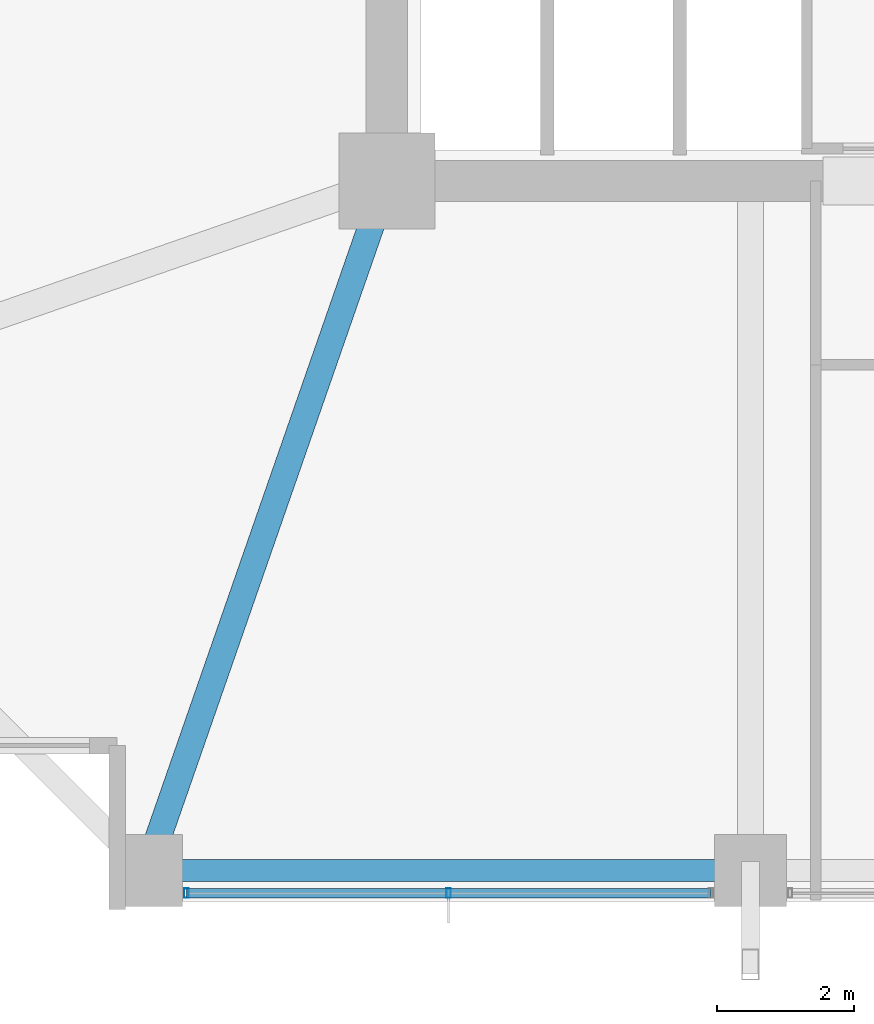
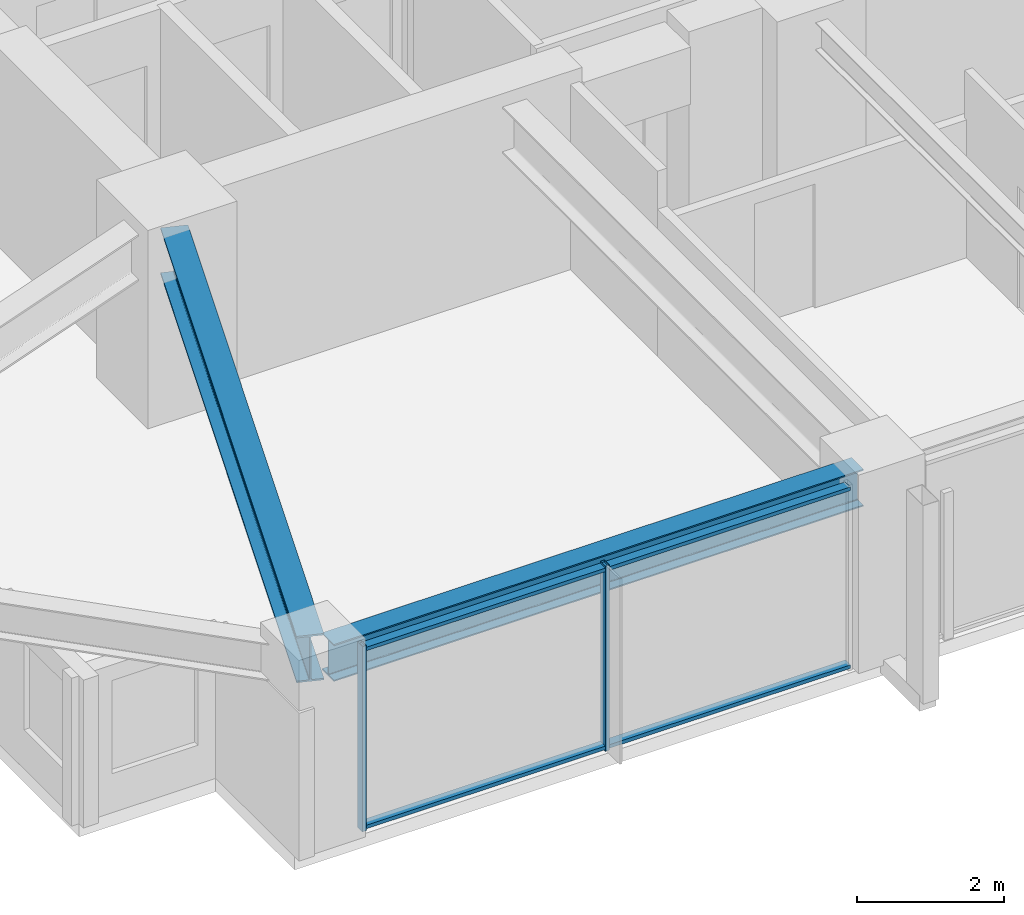
# One storey, part 2 of 37: 4 members, 2 beams, 1 element without a shape of its own.
"""IFC4 building model written with IfcOpenShell, lengths in metres."""

from ifc_helpers import new_model, si_unit, direction, frame, origin, origin_2d, place, context, subcontext, project, spatial, hollow_rectangle, i_section, extrude, material, material_profile, profile_set, type_object, element, aggregate, save


model = new_model("IFC4")

# Units and contexts
model_context = context("Model", 3, precision=1e-05, world=origin(), true_north=direction((0.0, 1.0)))
body_context = subcontext(model_context, "Body", "Model", "MODEL_VIEW")
ifc_project = project(units=[si_unit("LENGTHUNIT", "METRE"), si_unit("AREAUNIT", "SQUARE_METRE"), si_unit("VOLUMEUNIT", "CUBIC_METRE"), si_unit("PLANEANGLEUNIT", "RADIAN"), si_unit("MASSUNIT", "GRAM", prefix="KILO")], contexts=[model_context])

# Site, building, storey
site_placement = place(None, origin())
site = spatial("IfcSite", under=ifc_project, at=site_placement, CompositionType="ELEMENT")
building_placement = place(site_placement, origin())
building = spatial("IfcBuilding", under=site, at=building_placement, Name="Kolvaren Belvedere", CompositionType="ELEMENT")
storey_placement = place(building_placement, frame((0.0, 0.0, 75.5)))
storey = spatial("IfcBuildingStorey", under=building, at=storey_placement, Name="L21", CompositionType="ELEMENT", Elevation=75.5)

# Beams
ifc_material_1 = material(Name="Structural steel ASTM A992 Grade 50", Category="steel")
ifc_material_profile_1 = material_profile(ifc_material_1, i_section(OverallWidth=0.381103515625, OverallDepth=0.77294921875, WebThickness=0.0166015625, FlangeThickness=0.027099609375, FilletRadius=0.02392578125, at=origin_2d()), Name="W30X173")
ifc_profile_set_1 = profile_set([ifc_material_profile_1], Name="Structural steel ASTM A992 Grade 50")
beam_type_1 = type_object("IfcBeamType", Name="BM-GIRD-W30X173", PredefinedType="BEAM", material=ifc_profile_set_1)
beam_1_placement = place(storey_placement, frame((-10.080810546875, -10.41943359375, 2.693603515625), z_axis=(-0.328880894453, -0.944371408538, 0.0), x_axis=(0.944371408538, -0.328880894453, 0.0)))
element("IfcBeam", 1, at=beam_1_placement, inside=storey, type_object=beam_type_1, Name="L21 Corner Core-to-Perimeter Girder CC1-S1", PredefinedType="BEAM", context=body_context, shape_type="SweptSolid", body=[
    extrude(i_section(OverallWidth=0.381103515625, OverallDepth=0.77294921875, WebThickness=0.0166015625, FlangeThickness=0.027099609375, FilletRadius=0.02392578125, at=origin_2d()), origin(), (0.0, 0.0, 1.0), 9.882080078125),
])
ifc_material_2 = material(Name="Structural steel ASTM A992 Grade 50", Category="steel")
ifc_material_profile_2 = material_profile(ifc_material_2, i_section(OverallWidth=0.324951171875, OverallDepth=0.615966796875, WebThickness=0.013916015625, FlangeThickness=0.021484375, FilletRadius=0.02001953125, at=origin_2d()), Name="W24X117")
ifc_profile_set_2 = profile_set([ifc_material_profile_2], Name="Structural steel ASTM A992 Grade 50")
beam_type_2 = type_object("IfcBeamType", Name="BM-SPAN-W24X117", PredefinedType="SPANDREL", material=ifc_profile_set_2)
beam_2_placement = place(storey_placement, frame((-13.163818359375, -19.949951171875, 2.77197265625), z_axis=(1.0, 0.0, 0.0), x_axis=(0.0, 1.0, 0.0)))
element("IfcBeam", 2, at=beam_2_placement, inside=storey, type_object=beam_type_2, Name="L21 Perimeter Spandrel S1-S2", PredefinedType="SPANDREL", context=body_context, shape_type="SweptSolid", body=[
    extrude(i_section(OverallWidth=0.324951171875, OverallDepth=0.615966796875, WebThickness=0.013916015625, FlangeThickness=0.021484375, FilletRadius=0.02001953125, at=origin_2d()), origin(), (0.0, 0.0, 1.0), 8.32763671875),
])

# Curtain wall, members
ifc_material_3 = material(Name="Anodised pale-metal aluminium AA 6063-T6", Category="aluminium")
curtain_wall_type = type_object("IfcCurtainWallType", Name="CW-Z2-MID", PredefinedType="NOTDEFINED", material=ifc_material_3)
curtain_wall_placement = place(storey_placement, origin())
curtain_wall = element("IfcCurtainWall", 3, at=curtain_wall_placement, inside=storey, type_object=curtain_wall_type, Name="L21 Unitised Curtain Wall FCW-L21-S-B3", PredefinedType="NOTDEFINED")
ifc_material_4 = material(Name="Anodised pale-metal aluminium AA 6063-T6", Category="aluminium")
ifc_material_profile_3 = material_profile(ifc_material_4, hollow_rectangle(XDim=0.06494140625, YDim=0.139892578125, WallThickness=0.00390625, at=origin_2d()), Name="ALU-MUL-140X65")
ifc_profile_set_3 = profile_set([ifc_material_profile_3], Name="Anodised pale-metal aluminium AA 6063-T6")
member_type_1 = type_object("IfcMemberType", Name="CW-MUL-140", PredefinedType="MULLION", material=ifc_profile_set_3)
member_1_placement = place(storey_placement, frame((-9.0, -20.280029296875, 0.0), z_axis=(0.0, 0.0, 1.0), x_axis=(1.0, 0.0, 0.0)))
member_1 = element("IfcMember", 4, at=member_1_placement, type_object=member_type_1, Name="FCW-L21-S-B3 Unitised Mullion 2", PredefinedType="MULLION", context=body_context, shape_type="SweptSolid", body=[
    extrude(hollow_rectangle(XDim=0.06494140625, YDim=0.139892578125, WallThickness=0.00390625, at=origin_2d()), origin(), (0.0, 0.0, 1.0), 3.080078125),
])
member_2_placement = place(storey_placement, frame((-12.822509765625, -20.280029296875, 0.0), z_axis=(0.0, 0.0, 1.0), x_axis=(1.0, 0.0, 0.0)))
member_2 = element("IfcMember", 5, at=member_2_placement, type_object=member_type_1, Name="FCW-L21-S-B3 Unitised Mullion 3", PredefinedType="MULLION", context=body_context, shape_type="SweptSolid", body=[
    extrude(hollow_rectangle(XDim=0.06494140625, YDim=0.139892578125, WallThickness=0.00390625, at=origin_2d()), origin(), (0.0, 0.0, 1.0), 3.080078125),
])
ifc_material_5 = material(Name="Anodised pale-metal aluminium AA 6063-T6", Category="aluminium")
ifc_material_profile_4 = material_profile(ifc_material_5, hollow_rectangle(XDim=0.06005859375, YDim=0.139892578125, WallThickness=0.00390625, at=origin_2d()), Name="ALU-TRN-140X60")
ifc_profile_set_4 = profile_set([ifc_material_profile_4], Name="Anodised pale-metal aluminium AA 6063-T6")
member_type_2 = type_object("IfcMemberType", Name="CW-TRN-140", PredefinedType="USERDEFINED", material=ifc_profile_set_4)
member_3_placement = place(storey_placement, frame((-5.177490234375, -20.280029296875, 0.06005859375), z_axis=(-1.0, 0.0, 0.0), x_axis=(0.0, 0.0, 1.0)))
member_3 = element("IfcMember", 6, at=member_3_placement, type_object=member_type_2, Name="FCW-L21-S-B3 Sill Transom", ObjectType="TRANSOM", PredefinedType="USERDEFINED", context=body_context, shape_type="SweptSolid", body=[
    extrude(hollow_rectangle(XDim=0.06005859375, YDim=0.139892578125, WallThickness=0.00390625, at=origin_2d()), origin(), (0.0, 0.0, 1.0), 7.64501953125),
])
member_4_placement = place(storey_placement, frame((-5.177490234375, -20.280029296875, 3.02001953125), z_axis=(-1.0, 0.0, 0.0), x_axis=(0.0, 0.0, 1.0)))
member_4 = element("IfcMember", 7, at=member_4_placement, type_object=member_type_2, Name="FCW-L21-S-B3 Head Transom", ObjectType="TRANSOM", PredefinedType="USERDEFINED", context=body_context, shape_type="SweptSolid", body=[
    extrude(hollow_rectangle(XDim=0.06005859375, YDim=0.139892578125, WallThickness=0.00390625, at=origin_2d()), origin(), (0.0, 0.0, 1.0), 7.64501953125),
])
aggregate(curtain_wall, [member_1, member_2, member_3, member_4])

save(model, "model.ifc")
